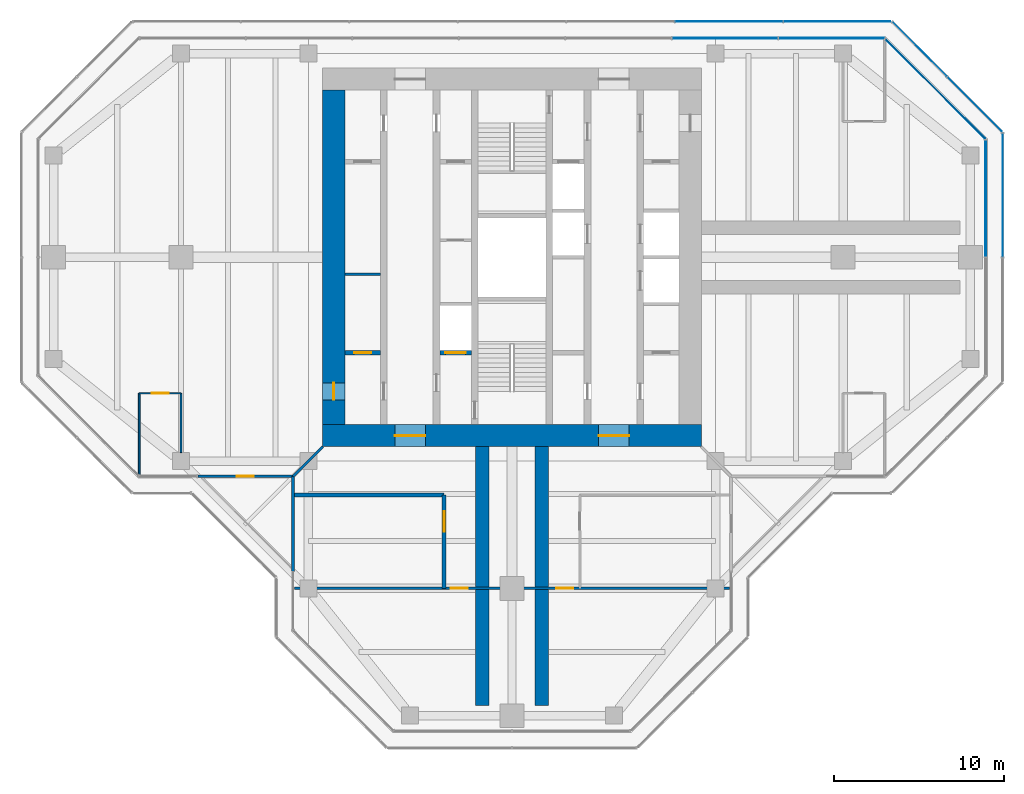
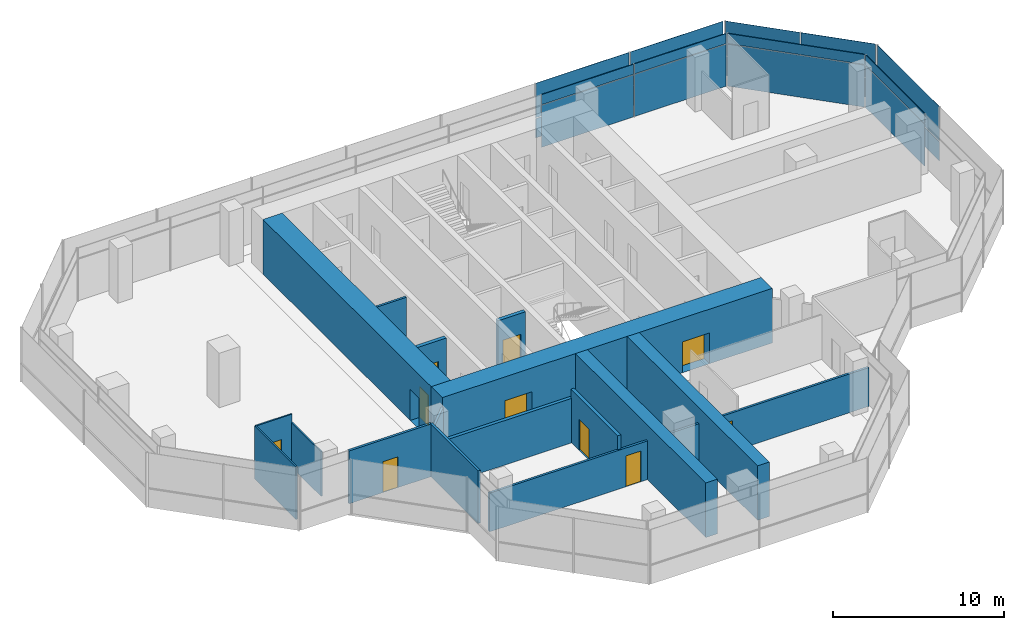
# One storey, part 11 of 15: 18 plates, 16 walls, 10 doors, 10 openings, 6 elements without a shape of their own.
"""IFC4 building model written with IfcOpenShell, lengths in metres."""

from ifc_helpers import new_model, si_unit, direction, frame, frame_2d, origin, origin_2d, place, context, subcontext, project, spatial, rectangle, extrude, material, layer, layer_set, type_object, element, fill, aggregate, save


model = new_model("IFC4")

# Units and contexts
model_context = context("Model", 3, precision=1e-05, world=origin(), true_north=direction((0.0, 1.0)))
body_context = subcontext(model_context, "Body", "Model", "MODEL_VIEW")
ifc_project = project(units=[si_unit("LENGTHUNIT", "METRE"), si_unit("AREAUNIT", "SQUARE_METRE"), si_unit("VOLUMEUNIT", "CUBIC_METRE"), si_unit("PLANEANGLEUNIT", "RADIAN"), si_unit("MASSUNIT", "GRAM", prefix="KILO")], contexts=[model_context])

# Site, building, storey
site_placement = place(None, origin())
site = spatial("IfcSite", under=ifc_project, at=site_placement, CompositionType="ELEMENT")
building_placement = place(site_placement, origin())
building = spatial("IfcBuilding", under=site, at=building_placement, Name="Mizan Broadcast Tower", CompositionType="ELEMENT")
storey_placement = place(building_placement, frame((0.0, 0.0, 282.89990234375)))
storey = spatial("IfcBuildingStorey", under=building, at=storey_placement, Name="L67", CompositionType="ELEMENT", Elevation=282.89990234375)

# Curtain wall, plate
ifc_material_1 = material(Name="Aluminium framed glazing", Category="aluminium")
curtain_wall_type_1 = type_object("IfcCurtainWallType", Name="INNER SKIN TOP ZONE", PredefinedType="USERDEFINED", material=ifc_material_1)
curtain_wall_1_placement = place(storey_placement, origin())
curtain_wall_1 = element("IfcCurtainWall", 1, at=curtain_wall_1_placement, inside=storey, type_object=curtain_wall_type_1, Name="Inner skin top zone L67 E end", ObjectType="INNER SKIN TOP ZONE", PredefinedType="USERDEFINED")
ifc_material_2 = material(Name="Double glazing, clear low-e", Category="glass")
ifc_layer_1 = layer(ifc_material_2, 0.028076171875)
ifc_layer_set_1 = layer_set([ifc_layer_1], Name="Double glazing, clear low-e")
plate_type_1 = type_object("IfcPlateType", Name="INNER SKIN GLAZING UNIT", PredefinedType="CURTAIN_PANEL", material=ifc_layer_set_1)
plate_1_placement = place(storey_placement, frame((27.89990234375, 3.46435546875, 0.0), z_axis=(0.0, 0.0, 1.0), x_axis=(0.0, 1.0, 0.0)))
plate_1 = element("IfcPlate", 2, at=plate_1_placement, type_object=plate_type_1, Name="Inner skin top zone L67 E end panel 2.1", PredefinedType="CURTAIN_PANEL", context=body_context, shape_type="SweptSolid", body=[
    extrude(rectangle(XDim=6.86865234375, YDim=0.028076171875, at=origin_2d()), origin(), (0.0, 0.0, 1.0), 3.0),
])

curtain_wall_2_placement = place(storey_placement, origin())
curtain_wall_2 = element("IfcCurtainWall", 3, at=curtain_wall_2_placement, inside=storey, type_object=curtain_wall_type_1, Name="Inner skin top zone L67 E chamfer", ObjectType="INNER SKIN TOP ZONE", PredefinedType="USERDEFINED")
plate_2_placement = place(storey_placement, frame((24.92919921875, 9.92919921875, 0.0), z_axis=(0.0, 0.0, 1.0), x_axis=(-0.707106781187, 0.707106781187, 0.0)))
plate_2 = element("IfcPlate", 4, at=plate_2_placement, type_object=plate_type_1, Name="Inner skin top zone L67 E chamfer panel 1.1", PredefinedType="CURTAIN_PANEL", context=body_context, shape_type="SweptSolid", body=[
    extrude(rectangle(XDim=8.282470703125, YDim=0.028076171875, at=origin_2d()), origin(), (0.0, 0.0, 1.0), 3.0),
])

# Curtain wall, plates
curtain_wall_3_placement = place(storey_placement, origin())
curtain_wall_3 = element("IfcCurtainWall", 5, at=curtain_wall_3_placement, inside=storey, type_object=curtain_wall_type_1, Name="Inner skin top zone L67 N end", ObjectType="INNER SKIN TOP ZONE", PredefinedType="USERDEFINED")
plate_3_placement = place(storey_placement, frame((18.806640625, 12.89990234375, 0.0), z_axis=(0.0, 0.0, 1.0), x_axis=(-1.0, 0.0, 0.0)))
plate_3 = element("IfcPlate", 6, at=plate_3_placement, type_object=plate_type_1, Name="Inner skin top zone L67 N end panel 1.1", PredefinedType="CURTAIN_PANEL", context=body_context, shape_type="SweptSolid", body=[
    extrude(rectangle(XDim=6.183837890625, YDim=0.028076171875, at=origin_2d()), origin(), (0.0, 0.0, 1.0), 3.0),
])
plate_4_placement = place(storey_placement, frame((12.5478515625, 12.89990234375, 0.0), z_axis=(0.0, 0.0, 1.0), x_axis=(-1.0, 0.0, 0.0)))
plate_4 = element("IfcPlate", 7, at=plate_4_placement, type_object=plate_type_1, Name="Inner skin top zone L67 N end panel 2.1", PredefinedType="CURTAIN_PANEL", context=body_context, shape_type="SweptSolid", body=[
    extrude(rectangle(XDim=6.2138671875, YDim=0.028076171875, at=origin_2d()), origin(), (0.0, 0.0, 1.0), 3.0),
])

# Plate
ifc_material_3 = material(Name="Insulated aluminium spandrel panel, pale anodised", Category="aluminium")
ifc_layer_2 = layer(ifc_material_3, 0.050048828125)
ifc_layer_set_2 = layer_set([ifc_layer_2], Name="Insulated aluminium spandrel panel, pale anodised")
plate_type_2 = type_object("IfcPlateType", Name="INNER SKIN SPANDREL PANEL", PredefinedType="CURTAIN_PANEL", material=ifc_layer_set_2)
plate_5_placement = place(storey_placement, frame((27.89990234375, 3.46435546875, 3.06005859375), z_axis=(0.0, 0.0, 1.0), x_axis=(0.0, 1.0, 0.0)))
plate_5 = element("IfcPlate", 8, at=plate_5_placement, type_object=plate_type_2, Name="Inner skin top zone L67 E end panel 2.2", PredefinedType="CURTAIN_PANEL", context=body_context, shape_type="SweptSolid", body=[
    extrude(rectangle(XDim=6.86865234375, YDim=0.050048828125, at=origin_2d()), origin(), (0.0, 0.0, 1.0), 0.7099609375),
])

aggregate(curtain_wall_1, [plate_1, plate_5])

plate_6_placement = place(storey_placement, frame((24.92919921875, 9.92919921875, 3.06005859375), z_axis=(0.0, 0.0, 1.0), x_axis=(-0.707106781187, 0.707106781187, 0.0)))
plate_6 = element("IfcPlate", 9, at=plate_6_placement, type_object=plate_type_2, Name="Inner skin top zone L67 E chamfer panel 1.2", PredefinedType="CURTAIN_PANEL", context=body_context, shape_type="SweptSolid", body=[
    extrude(rectangle(XDim=8.282470703125, YDim=0.050048828125, at=origin_2d()), origin(), (0.0, 0.0, 1.0), 0.7099609375),
])

aggregate(curtain_wall_2, [plate_2, plate_6])

plate_7_placement = place(storey_placement, frame((18.806640625, 12.89990234375, 3.06005859375), z_axis=(0.0, 0.0, 1.0), x_axis=(-1.0, 0.0, 0.0)))
plate_7 = element("IfcPlate", 10, at=plate_7_placement, type_object=plate_type_2, Name="Inner skin top zone L67 N end panel 1.2", PredefinedType="CURTAIN_PANEL", context=body_context, shape_type="SweptSolid", body=[
    extrude(rectangle(XDim=6.183837890625, YDim=0.050048828125, at=origin_2d()), origin(), (0.0, 0.0, 1.0), 0.7099609375),
])

plate_8_placement = place(storey_placement, frame((12.5478515625, 12.89990234375, 3.06005859375), z_axis=(0.0, 0.0, 1.0), x_axis=(-1.0, 0.0, 0.0)))
plate_8 = element("IfcPlate", 11, at=plate_8_placement, type_object=plate_type_2, Name="Inner skin top zone L67 N end panel 2.2", PredefinedType="CURTAIN_PANEL", context=body_context, shape_type="SweptSolid", body=[
    extrude(rectangle(XDim=6.2138671875, YDim=0.050048828125, at=origin_2d()), origin(), (0.0, 0.0, 1.0), 0.7099609375),
])

aggregate(curtain_wall_3, [plate_3, plate_7, plate_4, plate_8])

# Curtain wall, plates
ifc_material_4 = material(Name="Aluminium framed glazing", Category="aluminium")
curtain_wall_type_2 = type_object("IfcCurtainWallType", Name="OUTER SKIN", PredefinedType="USERDEFINED", material=ifc_material_4)
curtain_wall_4_placement = place(storey_placement, origin())
curtain_wall_4 = element("IfcCurtainWall", 12, at=curtain_wall_4_placement, inside=storey, type_object=curtain_wall_type_2, Name="Outer skin L67 E chamfer", ObjectType="OUTER SKIN", PredefinedType="USERDEFINED")
ifc_material_5 = material(Name="Laminated clear glass", Category="glass")
ifc_layer_3 = layer(ifc_material_5, 0.02001953125)
ifc_layer_set_3 = layer_set([ifc_layer_3], Name="Laminated clear glass")
plate_type_3 = type_object("IfcPlateType", Name="OUTER SKIN CLEAR GLASS", PredefinedType="CURTAIN_PANEL", material=ifc_layer_set_3)
plate_9_placement = place(storey_placement, frame((27.254150390625, 9.018798828125, 0.0), z_axis=(0.0, 0.0, 1.0), x_axis=(-0.707106781187, 0.707106781187, 0.0)))
plate_9 = element("IfcPlate", 13, at=plate_9_placement, type_object=plate_type_3, Name="Outer skin L67 E chamfer panel 1.1", PredefinedType="CURTAIN_PANEL", context=body_context, shape_type="SweptSolid", body=[
    extrude(rectangle(XDim=4.495361328125, YDim=0.02001953125, at=origin_2d()), origin(), (0.0, 0.0, 1.0), 1.3701171875),
])
plate_10_placement = place(storey_placement, frame((27.254150390625, 9.018798828125, 1.43017578125), z_axis=(0.0, 0.0, 1.0), x_axis=(-0.707106781187, 0.707106781187, 0.0)))
plate_10 = element("IfcPlate", 14, at=plate_10_placement, type_object=plate_type_3, Name="Outer skin L67 E chamfer panel 1.2", PredefinedType="CURTAIN_PANEL", context=body_context, shape_type="SweptSolid", body=[
    extrude(rectangle(XDim=4.495361328125, YDim=0.02001953125, at=origin_2d()), origin(), (0.0, 0.0, 1.0), 2.469970703125),
])

curtain_wall_5_placement = place(storey_placement, origin())
curtain_wall_5 = element("IfcCurtainWall", 15, at=curtain_wall_5_placement, inside=storey, type_object=curtain_wall_type_2, Name="Outer skin L67 N end", ObjectType="OUTER SKIN", PredefinedType="USERDEFINED")
plate_11_placement = place(storey_placement, frame((19.15673828125, 13.89990234375, 0.0), z_axis=(0.0, 0.0, 1.0), x_axis=(-1.0, 0.0, 0.0)))
plate_11 = element("IfcPlate", 16, at=plate_11_placement, type_object=plate_type_3, Name="Outer skin L67 N end panel 1.1", PredefinedType="CURTAIN_PANEL", context=body_context, shape_type="SweptSolid", body=[
    extrude(rectangle(XDim=6.272216796875, YDim=0.02001953125, at=origin_2d()), origin(), (0.0, 0.0, 1.0), 1.3701171875),
])
plate_12_placement = place(storey_placement, frame((19.15673828125, 13.89990234375, 1.43017578125), z_axis=(0.0, 0.0, 1.0), x_axis=(-1.0, 0.0, 0.0)))
plate_12 = element("IfcPlate", 17, at=plate_12_placement, type_object=plate_type_3, Name="Outer skin L67 N end panel 1.2", PredefinedType="CURTAIN_PANEL", context=body_context, shape_type="SweptSolid", body=[
    extrude(rectangle(XDim=6.272216796875, YDim=0.02001953125, at=origin_2d()), origin(), (0.0, 0.0, 1.0), 2.469970703125),
])
plate_13_placement = place(storey_placement, frame((12.784423828125, 13.89990234375, 0.0), z_axis=(0.0, 0.0, 1.0), x_axis=(-1.0, 0.0, 0.0)))
plate_13 = element("IfcPlate", 18, at=plate_13_placement, type_object=plate_type_3, Name="Outer skin L67 N end panel 2.1", PredefinedType="CURTAIN_PANEL", context=body_context, shape_type="SweptSolid", body=[
    extrude(rectangle(XDim=6.312255859375, YDim=0.02001953125, at=origin_2d()), origin(), (0.0, 0.0, 1.0), 1.3701171875),
])
plate_14_placement = place(storey_placement, frame((12.784423828125, 13.89990234375, 1.43017578125), z_axis=(0.0, 0.0, 1.0), x_axis=(-1.0, 0.0, 0.0)))
plate_14 = element("IfcPlate", 19, at=plate_14_placement, type_object=plate_type_3, Name="Outer skin L67 N end panel 2.2", PredefinedType="CURTAIN_PANEL", context=body_context, shape_type="SweptSolid", body=[
    extrude(rectangle(XDim=6.312255859375, YDim=0.02001953125, at=origin_2d()), origin(), (0.0, 0.0, 1.0), 2.469970703125),
])
aggregate(curtain_wall_5, [plate_11, plate_12, plate_13, plate_14])

curtain_wall_6_placement = place(storey_placement, origin())
curtain_wall_6 = element("IfcCurtainWall", 20, at=curtain_wall_6_placement, inside=storey, type_object=curtain_wall_type_2, Name="Outer skin L67 E end", ObjectType="OUTER SKIN", PredefinedType="USERDEFINED")
ifc_material_6 = material(Name="Perforated aluminium, pale anodised", Category="aluminium")
ifc_layer_4 = layer(ifc_material_6, 0.011962890625)
ifc_layer_set_4 = layer_set([ifc_layer_4], Name="Perforated aluminium, pale anodised")
plate_type_4 = type_object("IfcPlateType", Name="OUTER SKIN PERFORATED SCREEN", PredefinedType="USERDEFINED", material=ifc_layer_set_4)
plate_15_placement = place(storey_placement, frame((28.89990234375, 3.66650390625, 0.0), z_axis=(0.0, 0.0, 1.0), x_axis=(0.0, 1.0, 0.0)))
plate_15 = element("IfcPlate", 21, at=plate_15_placement, type_object=plate_type_4, Name="Outer skin L67 E end panel 2.1", ObjectType="SCREEN", PredefinedType="USERDEFINED", context=body_context, shape_type="SweptSolid", body=[
    extrude(rectangle(XDim=7.252685546875, YDim=0.011962890625, at=origin_2d()), origin(), (0.0, 0.0, 1.0), 1.3701171875),
])
plate_16_placement = place(storey_placement, frame((28.89990234375, 3.66650390625, 1.43017578125), z_axis=(0.0, 0.0, 1.0), x_axis=(0.0, 1.0, 0.0)))
plate_16 = element("IfcPlate", 22, at=plate_16_placement, type_object=plate_type_4, Name="Outer skin L67 E end panel 2.2", ObjectType="SCREEN", PredefinedType="USERDEFINED", context=body_context, shape_type="SweptSolid", body=[
    extrude(rectangle(XDim=7.252685546875, YDim=0.011962890625, at=origin_2d()), origin(), (0.0, 0.0, 1.0), 2.469970703125),
])
aggregate(curtain_wall_6, [plate_15, plate_16])

# Plate
plate_17_placement = place(storey_placement, frame((24.018798828125, 12.254150390625, 0.0), z_axis=(0.0, 0.0, 1.0), x_axis=(-0.707106781187, 0.707106781187, 0.0)))
plate_17 = element("IfcPlate", 23, at=plate_17_placement, type_object=plate_type_4, Name="Outer skin L67 E chamfer panel 2.1", ObjectType="SCREEN", PredefinedType="USERDEFINED", context=body_context, shape_type="SweptSolid", body=[
    extrude(rectangle(XDim=4.495361328125, YDim=0.011962890625, at=origin_2d()), origin(), (0.0, 0.0, 1.0), 1.3701171875),
])

plate_18_placement = place(storey_placement, frame((24.018798828125, 12.254150390625, 1.43017578125), z_axis=(0.0, 0.0, 1.0), x_axis=(-0.707106781187, 0.707106781187, 0.0)))
plate_18 = element("IfcPlate", 24, at=plate_18_placement, type_object=plate_type_4, Name="Outer skin L67 E chamfer panel 2.2", ObjectType="SCREEN", PredefinedType="USERDEFINED", context=body_context, shape_type="SweptSolid", body=[
    extrude(rectangle(XDim=4.495361328125, YDim=0.011962890625, at=origin_2d()), origin(), (0.0, 0.0, 1.0), 2.469970703125),
])

aggregate(curtain_wall_4, [plate_9, plate_10, plate_17, plate_18])

# Wall
ifc_material_7 = material(Name="Concrete blockwork", Category="masonry")
ifc_layer_5 = layer(ifc_material_7, 0.14990234375)
ifc_layer_set_5 = layer_set([ifc_layer_5], Name="Concrete blockwork")
wall_type_1 = type_object("IfcWallType", Name="CORE PARTITION 150", PredefinedType="SOLIDWALL", material=ifc_layer_set_5)
wall_1_placement = place(storey_placement, frame((-9.85009765625, -1.0, 0.0), z_axis=(0.0, 0.0, 1.0), x_axis=(1.0, 0.0, 0.0)))
element("IfcWall", 25, at=wall_1_placement, inside=storey, type_object=wall_type_1, Name="Core partition CORE/XP1", PredefinedType="SOLIDWALL", context=body_context, shape_type="SweptSolid", body=[
    extrude(rectangle(XDim=2.10009765625, YDim=0.14990234375, at=frame_2d((1.050048828125, 0.0))), origin(), (0.0, 0.0, 1.0), 3.77001953125),
])

# Wall, openings, doors
ifc_material_8 = material(Name="Concrete C70/85", Category="concrete")
ifc_layer_6 = layer(ifc_material_8, 1.300048828125)
ifc_layer_set_6 = layer_set([ifc_layer_6], Name="Concrete C70/85")
wall_type_2 = type_object("IfcWallType", Name="CORE WALL 1300", PredefinedType="SHEAR", material=ifc_layer_set_6)
wall_2_placement = place(storey_placement, frame((11.14990234375, -10.5, 0.0), z_axis=(0.0, 0.0, 1.0), x_axis=(-1.0, 0.0, 0.0)))
wall_2 = element("IfcWall", 26, at=wall_2_placement, inside=storey, type_object=wall_type_2, Name="Core wall S L67", PredefinedType="SHEAR", context=body_context, shape_type="SweptSolid", body=[
    extrude(rectangle(XDim=22.2998046875, YDim=1.300048828125, at=frame_2d((11.14990234375, 0.0))), origin(), (0.0, 0.0, 1.0), 3.900146484375),
])
opening_1_placement = place(wall_2_placement, frame((16.25, 0.0, 0.0)))
opening_1 = element("IfcOpeningElement", 27, at=opening_1_placement, cuts=wall_2, Name="Opening D18F", PredefinedType="OPENING", context=body_context, shape_type="SweptSolid", body=[
    extrude(rectangle(XDim=1.800048828125, YDim=2.199951171875, at=frame_2d((0.89990234375, 1.10009765625))), frame((0.0, 0.659912109375, 0.0), z_axis=(0.0, -1.0, 0.0), x_axis=(1.0, 0.0, 0.0)), (0.0, 0.0, 1.0), 1.320068359375),
])
opening_2_placement = place(wall_2_placement, frame((4.25, 0.0, 0.0)))
opening_2 = element("IfcOpeningElement", 28, at=opening_2_placement, cuts=wall_2, Name="Opening D18F", PredefinedType="OPENING", context=body_context, shape_type="SweptSolid", body=[
    extrude(rectangle(XDim=1.800048828125, YDim=2.199951171875, at=frame_2d((0.89990234375, 1.10009765625))), frame((0.0, 0.659912109375, 0.0), z_axis=(0.0, -1.0, 0.0), x_axis=(1.0, 0.0, 0.0)), (0.0, 0.0, 1.0), 1.320068359375),
])
ifc_material_9 = material(Name="Steel door leaf in steel frame", Category="steel")
door_type_1 = type_object("IfcDoorType", Name="LOBBY DOUBLE DOOR 1800 FD90", OperationType="DOUBLE_DOOR_DOUBLE_SWING", PredefinedType="DOOR", material=ifc_material_9)
door_1_placement = place(opening_1_placement, origin())
door_1 = element("IfcDoor", 29, at=door_1_placement, inside=storey, type_object=door_type_1, Name="West lift lobby south door", OperationType="DOUBLE_DOOR_DOUBLE_SWING", OverallHeight=2.199951171875, OverallWidth=1.800048828125, PredefinedType="DOOR", context=body_context, shape_type="SweptSolid", body=[
    extrude(rectangle(XDim=1.800048828125, YDim=2.199951171875, at=frame_2d((0.89990234375, 1.10009765625))), frame((0.0, 0.02490234375, 0.0), z_axis=(0.0, -1.0, 0.0), x_axis=(1.0, 0.0, 0.0)), (0.0, 0.0, 1.0), 0.050048828125),
])
fill(opening_1, door_1)
door_2_placement = place(opening_2_placement, origin())
door_2 = element("IfcDoor", 30, at=door_2_placement, inside=storey, type_object=door_type_1, Name="East lift lobby south door", OperationType="DOUBLE_DOOR_DOUBLE_SWING", OverallHeight=2.199951171875, OverallWidth=1.800048828125, PredefinedType="DOOR", context=body_context, shape_type="SweptSolid", body=[
    extrude(rectangle(XDim=1.800048828125, YDim=2.199951171875, at=frame_2d((0.89990234375, 1.10009765625))), frame((0.0, 0.02490234375, 0.0), z_axis=(0.0, -1.0, 0.0), x_axis=(1.0, 0.0, 0.0)), (0.0, 0.0, 1.0), 0.050048828125),
])
fill(opening_2, door_2)

# Wall, opening, door
wall_3_placement = place(storey_placement, frame((-10.5, 9.85009765625, 0.0), z_axis=(0.0, 0.0, 1.0), x_axis=(0.0, -1.0, 0.0)))
wall_3 = element("IfcWall", 31, at=wall_3_placement, inside=storey, type_object=wall_type_2, Name="Core wall W L67", PredefinedType="SHEAR", context=body_context, shape_type="SweptSolid", body=[
    extrude(rectangle(XDim=19.7001953125, YDim=1.300048828125, at=frame_2d((9.85009765625, 0.0))), origin(), (0.0, 0.0, 1.0), 3.900146484375),
])
opening_3_placement = place(wall_3_placement, frame((17.25, 0.0, 0.0)))
opening_3 = element("IfcOpeningElement", 32, at=opening_3_placement, cuts=wall_3, Name="Opening D10F", PredefinedType="OPENING", context=body_context, shape_type="SweptSolid", body=[
    extrude(rectangle(XDim=1.0, YDim=2.199951171875, at=frame_2d((0.5, 1.10009765625))), frame((0.0, 0.659912109375, 0.0), z_axis=(0.0, -1.0, 0.0), x_axis=(1.0, 0.0, 0.0)), (0.0, 0.0, 1.0), 1.320068359375),
])
ifc_material_10 = material(Name="Steel door leaf in steel frame", Category="steel")
door_type_2 = type_object("IfcDoorType", Name="FIRE DOOR 1000 FD90", OperationType="SINGLE_SWING_LEFT", PredefinedType="DOOR", material=ifc_material_10)
door_3_placement = place(opening_3_placement, origin())
door_3 = element("IfcDoor", 33, at=door_3_placement, inside=storey, type_object=door_type_2, Name="West core passage arm door", OperationType="SINGLE_SWING_RIGHT", OverallHeight=2.199951171875, OverallWidth=1.0, PredefinedType="DOOR", context=body_context, shape_type="SweptSolid", body=[
    extrude(rectangle(XDim=1.0, YDim=2.199951171875, at=frame_2d((0.5, 1.10009765625))), frame((0.0, 0.02490234375, 0.0), z_axis=(0.0, -1.0, 0.0), x_axis=(1.0, 0.0, 0.0)), (0.0, 0.0, 1.0), 0.050048828125),
])
fill(opening_3, door_3)

ifc_material_11 = material(Name="Aluminium framed glazed screen", Category="aluminium")
ifc_layer_7 = layer(ifc_material_11, 0.159912109375)
ifc_layer_set_7 = layer_set([ifc_layer_7], Name="Aluminium framed glazed screen")
wall_type_3 = type_object("IfcWallType", Name="GLAZED SCREEN WALL 160", PredefinedType="SOLIDWALL", material=ifc_layer_set_7)
wall_4_placement = place(storey_placement, frame((-18.5, -12.89990234375, 0.0), z_axis=(0.0, 0.0, 1.0), x_axis=(1.0, 0.0, 0.0)))
wall_4 = element("IfcWall", 34, at=wall_4_placement, inside=storey, type_object=wall_type_3, Name="Winter garden screen L67 W", PredefinedType="SOLIDWALL", context=body_context, shape_type="SweptSolid", body=[
    extrude(rectangle(XDim=5.60009765625, YDim=0.159912109375, at=frame_2d((2.800048828125, 0.0))), origin(), (0.0, 0.0, 1.0), 3.77001953125),
])
opening_4_placement = place(wall_4_placement, frame((2.300048828125, 0.0, 0.0)))
opening_4 = element("IfcOpeningElement", 35, at=opening_4_placement, cuts=wall_4, Name="Opening WGD", PredefinedType="OPENING", context=body_context, shape_type="SweptSolid", body=[
    extrude(rectangle(XDim=1.0, YDim=2.199951171875, at=frame_2d((0.5, 1.10009765625))), frame((0.0, 0.08984375, 0.0), z_axis=(0.0, -1.0, 0.0), x_axis=(1.0, 0.0, 0.0)), (0.0, 0.0, 1.0), 0.179931640625),
])
ifc_material_12 = material(Name="Aluminium framed glazed door", Category="aluminium")
door_type_3 = type_object("IfcDoorType", Name="WINTER GARDEN DOOR 1000 GLAZED", OperationType="SINGLE_SWING_LEFT", PredefinedType="DOOR", material=ifc_material_12)
door_4_placement = place(opening_4_placement, origin())
door_4 = element("IfcDoor", 36, at=door_4_placement, inside=storey, type_object=door_type_3, Name="Winter garden door L67 W", OperationType="SINGLE_SWING_RIGHT", OverallHeight=2.199951171875, OverallWidth=1.0, PredefinedType="DOOR", context=body_context, shape_type="SweptSolid", body=[
    extrude(rectangle(XDim=1.0, YDim=2.199951171875, at=frame_2d((0.5, 1.10009765625))), frame((0.0, 0.02490234375, 0.0), z_axis=(0.0, -1.0, 0.0), x_axis=(1.0, 0.0, 0.0)), (0.0, 0.0, 1.0), 0.050048828125),
])
fill(opening_4, door_4)

# Wall
wall_5_placement = place(storey_placement, frame((-12.89990234375, -12.89990234375, 0.0), z_axis=(0.0, 0.0, 1.0), x_axis=(0.0, -1.0, 0.0)))
element("IfcWall", 37, at=wall_5_placement, inside=storey, type_object=wall_type_3, Name="Winter garden screen L67 S", PredefinedType="SOLIDWALL", context=body_context, shape_type="SweptSolid", body=[
    extrude(rectangle(XDim=5.60009765625, YDim=0.159912109375, at=frame_2d((2.800048828125, 0.0))), origin(), (0.0, 0.0, 1.0), 3.77001953125),
])

# Wall, opening, door
ifc_material_13 = material(Name="Concrete blockwork", Category="masonry")
ifc_layer_8 = layer(ifc_material_13, 0.25)
ifc_layer_set_8 = layer_set([ifc_layer_8], Name="Concrete blockwork")
wall_type_4 = type_object("IfcWallType", Name="LOBBY ENCLOSURE WALL 250", PredefinedType="SOLIDWALL", material=ifc_layer_set_8)
wall_6_placement = place(storey_placement, frame((-9.85009765625, -5.625, 0.0), z_axis=(0.0, 0.0, 1.0), x_axis=(1.0, 0.0, 0.0)))
wall_6 = element("IfcWall", 38, at=wall_6_placement, inside=storey, type_object=wall_type_4, Name="Lobby enclosure wall CORE/BW1S", PredefinedType="SOLIDWALL", context=body_context, shape_type="SweptSolid", body=[
    extrude(rectangle(XDim=2.10009765625, YDim=0.25, at=frame_2d((1.050048828125, 0.0))), origin(), (0.0, 0.0, 1.0), 3.7001953125),
])
opening_5_placement = place(wall_6_placement, frame((0.550048828125, 0.0, 0.0)))
opening_5 = element("IfcOpeningElement", 39, at=opening_5_placement, cuts=wall_6, Name="Opening D10F", PredefinedType="OPENING", context=body_context, shape_type="SweptSolid", body=[
    extrude(rectangle(XDim=1.0, YDim=2.199951171875, at=frame_2d((0.5, 1.10009765625))), frame((0.0, 0.135009765625, 0.0), z_axis=(0.0, -1.0, 0.0), x_axis=(1.0, 0.0, 0.0)), (0.0, 0.0, 1.0), 0.27001953125),
])
door_5_placement = place(opening_5_placement, origin())
door_5 = element("IfcDoor", 40, at=door_5_placement, inside=storey, type_object=door_type_2, Name="Housekeeping store door", OperationType="SINGLE_SWING_RIGHT", OverallHeight=2.199951171875, OverallWidth=1.0, PredefinedType="DOOR", context=body_context, shape_type="SweptSolid", body=[
    extrude(rectangle(XDim=1.0, YDim=2.199951171875, at=frame_2d((0.5, 1.10009765625))), frame((0.0, 0.02490234375, 0.0), z_axis=(0.0, -1.0, 0.0), x_axis=(1.0, 0.0, 0.0)), (0.0, 0.0, 1.0), 0.050048828125),
])
fill(opening_5, door_5)

wall_7_placement = place(storey_placement, frame((-4.25, -5.625, 0.0), z_axis=(0.0, 0.0, 1.0), x_axis=(1.0, 0.0, 0.0)))
wall_7 = element("IfcWall", 41, at=wall_7_placement, inside=storey, type_object=wall_type_4, Name="Lobby enclosure wall CORE/BW2S", PredefinedType="SOLIDWALL", context=body_context, shape_type="SweptSolid", body=[
    extrude(rectangle(XDim=1.85009765625, YDim=0.25, at=frame_2d((0.925048828125, 0.0))), origin(), (0.0, 0.0, 1.0), 3.7001953125),
])
opening_6_placement = place(wall_7_placement, frame((0.324951171875, 0.0, 0.0)))
opening_6 = element("IfcOpeningElement", 42, at=opening_6_placement, cuts=wall_7, Name="Opening LDF", PredefinedType="OPENING", context=body_context, shape_type="SweptSolid", body=[
    extrude(rectangle(XDim=1.199951171875, YDim=2.199951171875, at=frame_2d((0.60009765625, 1.10009765625))), frame((0.0, 0.135009765625, 0.0), z_axis=(0.0, -1.0, 0.0), x_axis=(1.0, 0.0, 0.0)), (0.0, 0.0, 1.0), 0.27001953125),
])
ifc_material_14 = material(Name="Steel door leaf in steel frame", Category="steel")
door_type_4 = type_object("IfcDoorType", Name="FIREFIGHTING LIFT LANDING DOOR 1200", OperationType="SLIDING_TO_LEFT", PredefinedType="DOOR", material=ifc_material_14)
door_6_placement = place(opening_6_placement, origin())
door_6 = element("IfcDoor", 43, at=door_6_placement, inside=storey, type_object=door_type_4, Name="Landing door FF1", OperationType="SLIDING_TO_LEFT", OverallHeight=2.199951171875, OverallWidth=1.199951171875, PredefinedType="DOOR", context=body_context, shape_type="SweptSolid", body=[
    extrude(rectangle(XDim=1.199951171875, YDim=2.199951171875, at=frame_2d((0.60009765625, 1.10009765625))), frame((0.0, 0.02490234375, 0.0), z_axis=(0.0, -1.0, 0.0), x_axis=(1.0, 0.0, 0.0)), (0.0, 0.0, 1.0), 0.050048828125),
])
fill(opening_6, door_6)

# Wall, openings, doors
ifc_material_15 = material(Name="Gypsum board on steel studs", Category="steel")
ifc_layer_9 = layer(ifc_material_15, 0.14990234375)
ifc_layer_set_9 = layer_set([ifc_layer_9], Name="Gypsum board on steel studs")
wall_type_5 = type_object("IfcWallType", Name="PARTITION 150", PredefinedType="PARTITIONING", material=ifc_layer_set_9)
wall_8_placement = place(storey_placement, frame((-12.820068359375, -19.5, 0.0), z_axis=(0.0, 0.0, 1.0), x_axis=(1.0, 0.0, 0.0)))
wall_8 = element("IfcWall", 44, at=wall_8_placement, inside=storey, type_object=wall_type_5, Name="Partition PT/SX1", PredefinedType="PARTITIONING", context=body_context, shape_type="SweptSolid", body=[
    extrude(rectangle(XDim=25.64013671875, YDim=0.14990234375, at=frame_2d((12.820068359375, 0.0))), origin(), (0.0, 0.0, 1.0), 2.77001953125),
])
opening_7_placement = place(wall_8_placement, frame((15.419921875, 0.0, 0.0)))
opening_7 = element("IfcOpeningElement", 45, at=opening_7_placement, cuts=wall_8, Name="Opening D10", PredefinedType="OPENING", context=body_context, shape_type="SweptSolid", body=[
    extrude(rectangle(XDim=1.0, YDim=2.199951171875, at=frame_2d((0.5, 1.10009765625))), frame((0.0, 0.0849609375, 0.0), z_axis=(0.0, -1.0, 0.0), x_axis=(1.0, 0.0, 0.0)), (0.0, 0.0, 1.0), 0.169921875),
])
opening_8_placement = place(wall_8_placement, frame((9.219970703125, 0.0, 0.0)))
opening_8 = element("IfcOpeningElement", 46, at=opening_8_placement, cuts=wall_8, Name="Opening D10", PredefinedType="OPENING", context=body_context, shape_type="SweptSolid", body=[
    extrude(rectangle(XDim=1.0, YDim=2.199951171875, at=frame_2d((0.5, 1.10009765625))), frame((0.0, 0.0849609375, 0.0), z_axis=(0.0, -1.0, 0.0), x_axis=(1.0, 0.0, 0.0)), (0.0, 0.0, 1.0), 0.169921875),
])
ifc_material_16 = material(Name="Timber door leaf in aluminium frame", Category="wood")
door_type_5 = type_object("IfcDoorType", Name="ROOM DOOR 1000", OperationType="SINGLE_SWING_LEFT", PredefinedType="DOOR", material=ifc_material_16)
door_7_placement = place(opening_7_placement, origin())
door_7 = element("IfcDoor", 47, at=door_7_placement, inside=storey, type_object=door_type_5, Name="Editorial office door", OperationType="SINGLE_SWING_RIGHT", OverallHeight=2.199951171875, OverallWidth=1.0, PredefinedType="DOOR", context=body_context, shape_type="SweptSolid", body=[
    extrude(rectangle(XDim=1.0, YDim=2.199951171875, at=frame_2d((0.5, 1.10009765625))), frame((0.0, 0.02490234375, 0.0), z_axis=(0.0, -1.0, 0.0), x_axis=(1.0, 0.0, 0.0)), (0.0, 0.0, 1.0), 0.050048828125),
])
fill(opening_7, door_7)
door_8_placement = place(opening_8_placement, origin())
door_8 = element("IfcDoor", 48, at=door_8_placement, inside=storey, type_object=door_type_5, Name="Editorial office door", OperationType="SINGLE_SWING_LEFT", OverallHeight=2.199951171875, OverallWidth=1.0, PredefinedType="DOOR", context=body_context, shape_type="SweptSolid", body=[
    extrude(rectangle(XDim=1.0, YDim=2.199951171875, at=frame_2d((0.5, 1.10009765625))), frame((0.0, 0.02490234375, 0.0), z_axis=(0.0, -1.0, 0.0), x_axis=(1.0, 0.0, 0.0)), (0.0, 0.0, 1.0), 0.050048828125),
])
fill(opening_8, door_8)

# Wall
wall_9_placement = place(storey_placement, frame((-11.14990234375, -11.14990234375, 0.0), z_axis=(0.0, 0.0, 1.0), x_axis=(-0.707106781187, -0.707106781187, 0.0)))
element("IfcWall", 49, at=wall_9_placement, inside=storey, type_object=wall_type_5, Name="Partition PT/DGWS", PredefinedType="PARTITIONING", context=body_context, shape_type="SweptSolid", body=[
    extrude(rectangle(XDim=2.460693359375, YDim=0.14990234375, at=frame_2d((1.23046875, 0.0))), origin(), (0.0, 0.0, 1.0), 3.22021484375),
])

# Wall, opening, door
ifc_material_17 = material(Name="Twin steel stud acoustic partition, four layers of gypsum board", Category="steel")
ifc_layer_10 = layer(ifc_material_17, 0.22509765625)
ifc_layer_set_10 = layer_set([ifc_layer_10], Name="Twin steel stud acoustic partition, four layers of gypsum board")
wall_type_6 = type_object("IfcWallType", Name="PARTITION ACOUSTIC 225", PredefinedType="PARTITIONING", material=ifc_layer_set_10)
wall_10_placement = place(storey_placement, frame((-4.0, -14.0, 0.0), z_axis=(0.0, 0.0, 1.0), x_axis=(0.0, -1.0, 0.0)))
wall_10 = element("IfcWall", 50, at=wall_10_placement, inside=storey, type_object=wall_type_6, Name="Acoustic partition PT/SCN0", PredefinedType="PARTITIONING", context=body_context, shape_type="SweptSolid", body=[
    extrude(rectangle(XDim=5.5, YDim=0.22509765625, at=frame_2d((2.75, 0.0))), origin(), (0.0, 0.0, 1.0), 3.77001953125),
])
opening_9_placement = place(wall_10_placement, frame((0.949951171875, 0.0, 0.0)))
opening_9 = element("IfcOpeningElement", 51, at=opening_9_placement, cuts=wall_10, Name="Opening D12A", PredefinedType="OPENING", context=body_context, shape_type="SweptSolid", body=[
    extrude(rectangle(XDim=1.199951171875, YDim=2.199951171875, at=frame_2d((0.60009765625, 1.10009765625))), frame((0.0, 0.12255859375, 0.0), z_axis=(0.0, -1.0, 0.0), x_axis=(1.0, 0.0, 0.0)), (0.0, 0.0, 1.0), 0.2451171875),
])
ifc_material_18 = material(Name="Timber door leaf in aluminium frame", Category="wood")
door_type_6 = type_object("IfcDoorType", Name="ACOUSTIC DOOR 1200", OperationType="SINGLE_SWING_LEFT", PredefinedType="DOOR", material=ifc_material_18)
door_9_placement = place(opening_9_placement, origin())
door_9 = element("IfcDoor", 52, at=door_9_placement, inside=storey, type_object=door_type_6, Name="Editorial board room door", OperationType="SINGLE_SWING_LEFT", OverallHeight=2.199951171875, OverallWidth=1.199951171875, PredefinedType="DOOR", context=body_context, shape_type="SweptSolid", body=[
    extrude(rectangle(XDim=1.199951171875, YDim=2.199951171875, at=frame_2d((0.60009765625, 1.10009765625))), frame((0.0, 0.02490234375, 0.0), z_axis=(0.0, -1.0, 0.0), x_axis=(1.0, 0.0, 0.0)), (0.0, 0.0, 1.0), 0.050048828125),
])
fill(opening_9, door_9)

# Wall
wall_11_placement = place(storey_placement, frame((-4.0, -14.0, 0.0), z_axis=(0.0, 0.0, 1.0), x_axis=(-1.0, 0.0, 0.0)))
element("IfcWall", 53, at=wall_11_placement, inside=storey, type_object=wall_type_6, Name="Acoustic partition PT/SQN1400", PredefinedType="PARTITIONING", context=body_context, shape_type="SweptSolid", body=[
    extrude(rectangle(XDim=8.820068359375, YDim=0.22509765625, at=frame_2d((4.41015625, 0.0))), origin(), (0.0, 0.0, 1.0), 3.18017578125),
])

# Wall, opening, door
ifc_material_19 = material(Name="Glazed aluminium partition on aluminium track", Category="aluminium")
ifc_layer_11 = layer(ifc_material_19, 0.10009765625)
ifc_layer_set_11 = layer_set([ifc_layer_11], Name="Glazed aluminium partition on aluminium track")
wall_type_7 = type_object("IfcWallType", Name="PARTITION GLAZED OFFICE FRONT 100", PredefinedType="PARTITIONING", material=ifc_layer_set_11)
wall_12_placement = place(storey_placement, frame((-19.5, -8.0, 0.0), z_axis=(0.0, 0.0, 1.0), x_axis=(-1.0, 0.0, 0.0)))
wall_12 = element("IfcWall", 54, at=wall_12_placement, inside=storey, type_object=wall_type_7, Name="Glazed office front PT/WCP0", PredefinedType="PARTITIONING", context=body_context, shape_type="SweptSolid", body=[
    extrude(rectangle(XDim=2.458984375, YDim=0.10009765625, at=frame_2d((1.2294921875, 0.0))), origin(), (0.0, 0.0, 1.0), 3.77001953125),
])
opening_10_placement = place(wall_12_placement, frame((0.7294921875, 0.0, 0.0)))
opening_10 = element("IfcOpeningElement", 55, at=opening_10_placement, cuts=wall_12, Name="Opening D10O", PredefinedType="OPENING", context=body_context, shape_type="SweptSolid", body=[
    extrude(rectangle(XDim=1.0, YDim=2.199951171875, at=frame_2d((0.5, 1.10009765625))), frame((0.0, 0.06005859375, 0.0), z_axis=(0.0, -1.0, 0.0), x_axis=(1.0, 0.0, 0.0)), (0.0, 0.0, 1.0), 0.1201171875),
])
ifc_material_20 = material(Name="Timber door leaf in aluminium frame", Category="wood")
door_type_7 = type_object("IfcDoorType", Name="OFFICE DOOR 1000 GLAZED", OperationType="SINGLE_SWING_LEFT", PredefinedType="DOOR", material=ifc_material_20)
door_10_placement = place(opening_10_placement, origin())
door_10 = element("IfcDoor", 56, at=door_10_placement, inside=storey, type_object=door_type_7, Name="Director's office door", OperationType="SINGLE_SWING_LEFT", OverallHeight=2.199951171875, OverallWidth=1.0, PredefinedType="DOOR", context=body_context, shape_type="SweptSolid", body=[
    extrude(rectangle(XDim=1.0, YDim=2.199951171875, at=frame_2d((0.5, 1.10009765625))), frame((0.0, 0.02490234375, 0.0), z_axis=(0.0, -1.0, 0.0), x_axis=(1.0, 0.0, 0.0)), (0.0, 0.0, 1.0), 0.050048828125),
])
fill(opening_10, door_10)

# Walls
wall_13_placement = place(storey_placement, frame((-19.5, -8.0, 0.0), z_axis=(0.0, 0.0, 1.0), x_axis=(0.0, -1.0, 0.0)))
element("IfcWall", 57, at=wall_13_placement, inside=storey, type_object=wall_type_7, Name="Glazed office front PT/WQP1950", PredefinedType="PARTITIONING", context=body_context, shape_type="SweptSolid", body=[
    extrude(rectangle(XDim=3.5, YDim=0.10009765625, at=frame_2d((1.75, 0.0))), origin(), (0.0, 0.0, 1.0), 3.18017578125),
])
wall_14_placement = place(storey_placement, frame((-21.958984375, -8.0, 0.0), z_axis=(0.0, 0.0, 1.0), x_axis=(0.0, -1.0, 0.0)))
element("IfcWall", 58, at=wall_14_placement, inside=storey, type_object=wall_type_7, Name="Glazed office front PT/WQP2196", PredefinedType="PARTITIONING", context=body_context, shape_type="SweptSolid", body=[
    extrude(rectangle(XDim=4.820068359375, YDim=0.10009765625, at=frame_2d((2.41015625, 0.0))), origin(), (0.0, 0.0, 1.0), 3.77001953125),
])
ifc_material_21 = material(Name="Concrete C70/85", Category="concrete")
ifc_layer_12 = layer(ifc_material_21, 0.800048828125)
ifc_layer_set_12 = layer_set([ifc_layer_12], Name="Concrete C70/85")
wall_type_8 = type_object("IfcWallType", Name="SPINE WALL 800", PredefinedType="SHEAR", material=ifc_layer_set_12)
for number, where, z_axis, x_axis, name in (
    (59, (-1.75, -11.14990234375, 0.0), (0.0, 0.0, 1.0), (0.0, -1.0, 0.0), "Spine wall SR L67"),
    (60, (1.75, -11.14990234375, 0.0), (0.0, 0.0, 1.0), (0.0, -1.0, 0.0), "Spine wall SL L67"),
):
    element("IfcWall", number, at=place(storey_placement, frame(where, z_axis=z_axis, x_axis=x_axis)), inside=storey, type_object=wall_type_8, Name=name, PredefinedType="SHEAR", context=body_context, shape_type="SweptSolid", body=[
        extrude(rectangle(XDim=15.25, YDim=0.800048828125, at=frame_2d((7.625, 0.0))), origin(), (0.0, 0.0, 1.0), 3.900146484375),
    ])

save(model, "model.ifc")
